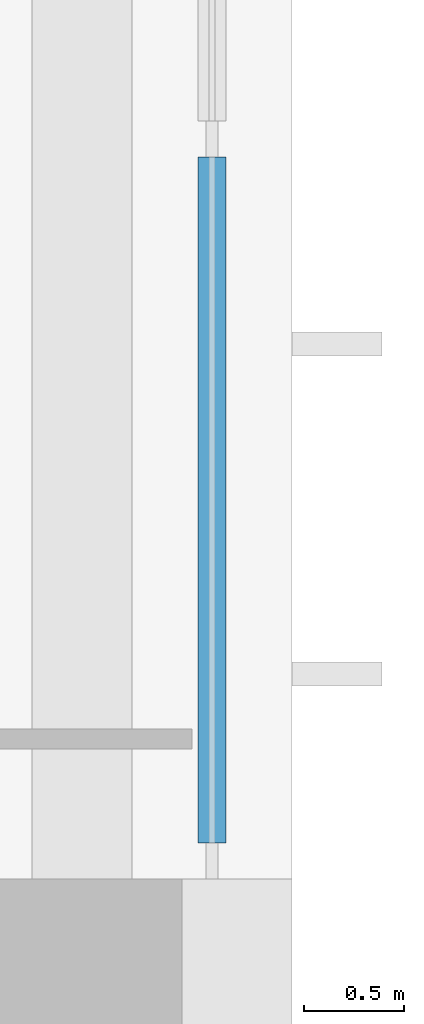
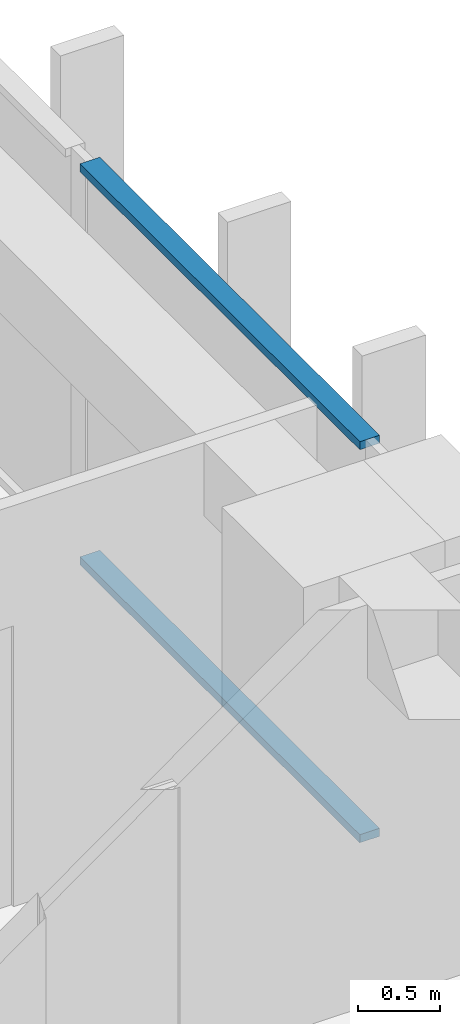
# One storey, part 5 of 19: 2 members, 1 element without a shape of its own.
"""IFC4 building model written with IfcOpenShell, lengths in metres."""

from ifc_helpers import new_model, si_unit, direction, frame, origin, origin_2d, place, context, subcontext, project, spatial, rectangle, extrude, material, material_profile, profile_set, type_object, element, aggregate, save


model = new_model("IFC4")

# Units and contexts
model_context = context("Model", 3, precision=1e-05, world=origin(), true_north=direction((0.0, 1.0)))
body_context = subcontext(model_context, "Body", "Model", "MODEL_VIEW")
ifc_project = project(units=[si_unit("LENGTHUNIT", "METRE"), si_unit("AREAUNIT", "SQUARE_METRE"), si_unit("VOLUMEUNIT", "CUBIC_METRE"), si_unit("PLANEANGLEUNIT", "RADIAN"), si_unit("MASSUNIT", "GRAM", prefix="KILO")], contexts=[model_context])

# Site, building, storey
site_placement = place(None, origin())
site = spatial("IfcSite", under=ifc_project, at=site_placement, CompositionType="ELEMENT")
building_placement = place(site_placement, origin())
building = spatial("IfcBuilding", under=site, at=building_placement, Name="Vermilion Ogive Tower", CompositionType="ELEMENT")
storey_placement = place(building_placement, frame((0.0, 0.0, 213.5)))
storey = spatial("IfcBuildingStorey", under=building, at=storey_placement, Name="L56", CompositionType="ELEMENT", Elevation=213.5)

# Curtain wall, members
ifc_material_1 = material(Name="Low-iron laminated glazing in aluminium frame", Category="aluminium")
curtain_wall_type = type_object("IfcCurtainWallType", Name="Curtain wall CW7", PredefinedType="NOTDEFINED", material=ifc_material_1)
curtain_wall_placement = place(storey_placement, origin())
curtain_wall = element("IfcCurtainWall", 1, at=curtain_wall_placement, inside=storey, type_object=curtain_wall_type, Name="Glazed skin E3", PredefinedType="NOTDEFINED")
ifc_material_2 = material(Name="Aluminium transom", Category="aluminium")
ifc_material_profile = material_profile(ifc_material_2, rectangle(XDim=0.139892578125, YDim=0.06005859375, at=origin_2d()), Name="AL 60x140")
ifc_profile_set = profile_set([ifc_material_profile], Name="Aluminium transom")
member_type = type_object("IfcMemberType", Name="CW7 transom 60x140", PredefinedType="USERDEFINED", material=ifc_profile_set)
member_1_placement = place(storey_placement, frame((25.85009765625, 4.8798828125, 0.030029296875), z_axis=(0.0, 1.0, 0.0), x_axis=(-1.0, 0.0, 0.0)))
member_1 = element("IfcMember", 2, at=member_1_placement, type_object=member_type, Name="CW7-E3 transom 1.1", ObjectType="TRANSOM", PredefinedType="USERDEFINED", context=body_context, shape_type="SweptSolid", body=[
    extrude(rectangle(XDim=0.139892578125, YDim=0.06005859375, at=origin_2d()), origin(), (0.0, 0.0, 1.0), 3.43017578125),
])
member_2_placement = place(storey_placement, frame((25.85009765625, 4.8798828125, 2.969970703125), z_axis=(0.0, 1.0, 0.0), x_axis=(-1.0, 0.0, 0.0)))
member_2 = element("IfcMember", 3, at=member_2_placement, type_object=member_type, Name="CW7-E3 transom 1.2", ObjectType="TRANSOM", PredefinedType="USERDEFINED", context=body_context, shape_type="SweptSolid", body=[
    extrude(rectangle(XDim=0.139892578125, YDim=0.06005859375, at=origin_2d()), origin(), (0.0, 0.0, 1.0), 3.43017578125),
])
aggregate(curtain_wall, [member_1, member_2])

save(model, "model.ifc")
